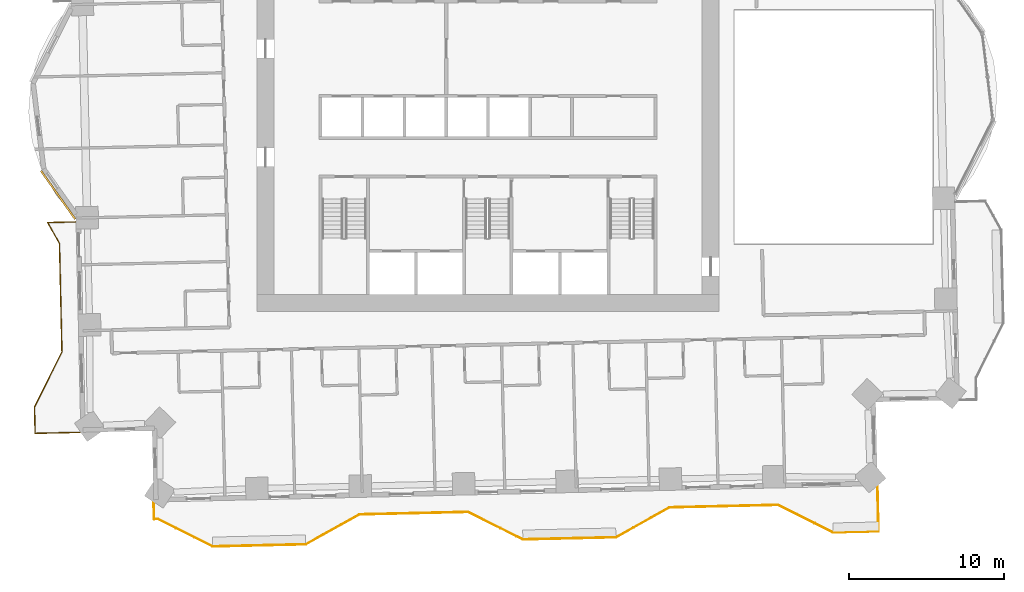
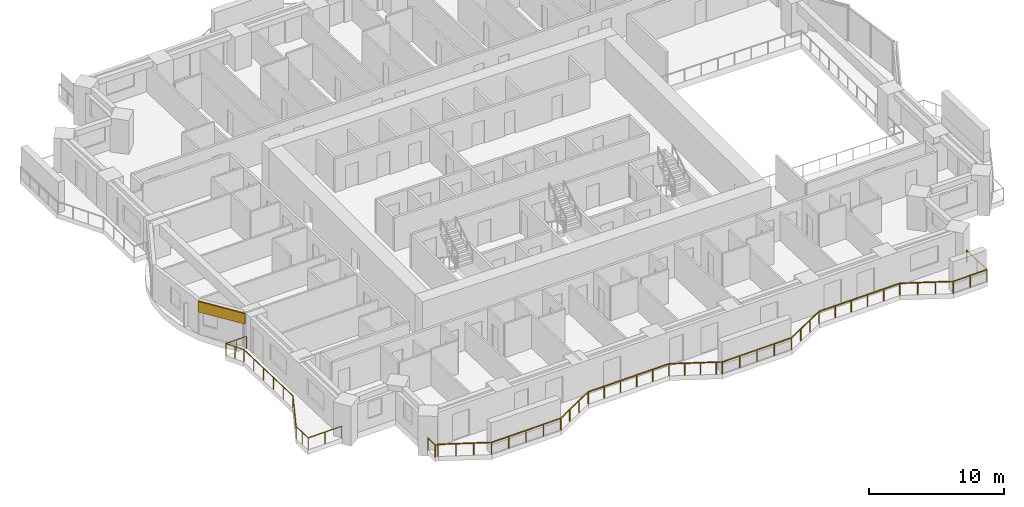
# One storey, part 14 of 17: 2 railings, 1 covering.
"""IFC4 building model written with IfcOpenShell, lengths in metres."""

from ifc_helpers import new_model, si_unit, direction, frame, frame_2d, origin, origin_2d, place, context, subcontext, project, spatial, rectangle, extrude, material, layer, layer_set, type_object, element, save


model = new_model("IFC4")

# Units and contexts
model_context = context("Model", 3, precision=1e-05, world=origin(), true_north=direction((0.0, 1.0)))
body_context = subcontext(model_context, "Body", "Model", "MODEL_VIEW")
ifc_project = project(units=[si_unit("LENGTHUNIT", "METRE"), si_unit("AREAUNIT", "SQUARE_METRE"), si_unit("VOLUMEUNIT", "CUBIC_METRE"), si_unit("PLANEANGLEUNIT", "RADIAN"), si_unit("MASSUNIT", "GRAM", prefix="KILO")], contexts=[model_context])

# Site, building, storey
site_placement = place(None, origin())
site = spatial("IfcSite", under=ifc_project, at=site_placement, CompositionType="ELEMENT")
building_placement = place(site_placement, origin())
building = spatial("IfcBuilding", under=site, at=building_placement, Name="Mangrove Gate Tower", CompositionType="ELEMENT")
storey_placement = place(building_placement, frame((0.0, 0.0, 79.300048828125)))
storey = spatial("IfcBuildingStorey", under=building, at=storey_placement, Name="L19", CompositionType="ELEMENT", Elevation=79.300048828125)

# Railings
ifc_material_1 = material(Name="Stainless steel grade 316 with laminated glass infill", Category="steel")
railing_type = type_object("IfcRailingType", Name="Balcony guard 1100", PredefinedType="GUARDRAIL", material=ifc_material_1)
railing_1_placement = place(storey_placement, frame((-26.60693359375, -6.116943359375, 0.0)))
element("IfcRailing", 1, at=railing_1_placement, inside=storey, type_object=railing_type, Name="GUARD L19 W2", PredefinedType="GUARDRAIL", context=body_context, shape_type="SweptSolid", body=[
    extrude(rectangle(XDim=0.048095703125, YDim=0.048095703125, at=origin_2d()), frame((0.0, 0.0, 1.076171875), z_axis=(-0.999736446094, -0.022957315875, 0.0), x_axis=(0.022957315875, -0.999736446094, 0.0)), (0.0, 0.0, 1.0), 1.78662109375),
    extrude(rectangle(XDim=0.048095703125, YDim=0.048095703125, at=origin_2d()), frame((-1.7861328125, -0.041015625, 1.076171875), z_axis=(0.486895569176, -0.873460190688, 0.0), x_axis=(0.873460190688, 0.486895569176, 0.0)), (0.0, 0.0, 1.0), 1.554931640625),
    extrude(rectangle(XDim=0.048095703125, YDim=0.048095703125, at=origin_2d()), frame((-1.029052734375, -1.399169921875, 1.076171875), z_axis=(0.022706351659, -0.999742177561, 0.0), x_axis=(0.999742177561, 0.022706351659, 0.0)), (0.0, 0.0, 1.0), 6.99951171875),
    extrude(rectangle(XDim=0.048095703125, YDim=0.048095703125, at=origin_2d()), frame((-0.8701171875, -8.39697265625, 1.076171875), z_axis=(-0.447114919141, -0.894476522376, 0.0), x_axis=(0.894476522376, -0.447114919141, 0.0)), (0.0, 0.0, 1.0), 3.958740234375),
    extrude(rectangle(XDim=0.048095703125, YDim=0.048095703125, at=origin_2d()), frame((-2.64013671875, -11.93798828125, 1.076171875), z_axis=(0.022985734573, -0.9997357931, 0.0), x_axis=(0.9997357931, 0.022985734573, 0.0)), (0.0, 0.0, 1.0), 1.699462890625),
    extrude(rectangle(XDim=0.048095703125, YDim=0.048095703125, at=origin_2d()), frame((-2.60107421875, -13.636962890625, 1.076171875), z_axis=(0.999750894749, 0.022319239446, 0.0), x_axis=(-0.022319239446, 0.999750894749, 0.0)), (0.0, 0.0, 1.0), 2.90966796875),
    extrude(rectangle(XDim=0.0419921875, YDim=0.0419921875, at=origin_2d()), origin(), (0.0, 0.0, 1.0), 1.052001953125),
    extrude(rectangle(XDim=0.0419921875, YDim=0.0419921875, at=origin_2d()), frame((-0.89306640625, -0.0205078125, 0.0)), (0.0, 0.0, 1.0), 1.052001953125),
    extrude(rectangle(XDim=0.0419921875, YDim=0.0419921875, at=origin_2d()), frame((-1.7861328125, -0.041015625, 0.0)), (0.0, 0.0, 1.0), 1.052001953125),
    extrude(rectangle(XDim=0.0419921875, YDim=0.0419921875, at=origin_2d()), frame((-1.40771484375, -0.72021484375, 0.0)), (0.0, 0.0, 1.0), 1.052001953125),
    extrude(rectangle(XDim=0.0419921875, YDim=0.0419921875, at=origin_2d()), frame((-1.029052734375, -1.399169921875, 0.0)), (0.0, 0.0, 1.0), 1.052001953125),
    extrude(rectangle(XDim=0.0419921875, YDim=0.0419921875, at=origin_2d()), frame((-0.997314453125, -2.798828125, 0.0)), (0.0, 0.0, 1.0), 1.052001953125),
    extrude(rectangle(XDim=0.0419921875, YDim=0.0419921875, at=origin_2d()), frame((-0.965576171875, -4.1982421875, 0.0)), (0.0, 0.0, 1.0), 1.052001953125),
    extrude(rectangle(XDim=0.0419921875, YDim=0.0419921875, at=origin_2d()), frame((-0.93359375, -5.597900390625, 0.0)), (0.0, 0.0, 1.0), 1.052001953125),
    extrude(rectangle(XDim=0.0419921875, YDim=0.0419921875, at=origin_2d()), frame((-0.90185546875, -6.997314453125, 0.0)), (0.0, 0.0, 1.0), 1.052001953125),
    extrude(rectangle(XDim=0.0419921875, YDim=0.0419921875, at=origin_2d()), frame((-0.8701171875, -8.39697265625, 0.0)), (0.0, 0.0, 1.0), 1.052001953125),
    extrude(rectangle(XDim=0.0419921875, YDim=0.0419921875, at=origin_2d()), frame((-1.460205078125, -9.577392578125, 0.0)), (0.0, 0.0, 1.0), 1.052001953125),
    extrude(rectangle(XDim=0.0419921875, YDim=0.0419921875, at=origin_2d()), frame((-2.050048828125, -10.757568359375, 0.0)), (0.0, 0.0, 1.0), 1.052001953125),
    extrude(rectangle(XDim=0.0419921875, YDim=0.0419921875, at=origin_2d()), frame((-2.64013671875, -11.93798828125, 0.0)), (0.0, 0.0, 1.0), 1.052001953125),
    extrude(rectangle(XDim=0.0419921875, YDim=0.0419921875, at=origin_2d()), frame((-2.62060546875, -12.78759765625, 0.0)), (0.0, 0.0, 1.0), 1.052001953125),
    extrude(rectangle(XDim=0.0419921875, YDim=0.0419921875, at=origin_2d()), frame((-2.60107421875, -13.636962890625, 0.0)), (0.0, 0.0, 1.0), 1.052001953125),
    extrude(rectangle(XDim=0.0419921875, YDim=0.0419921875, at=origin_2d()), frame((-1.146484375, -13.6044921875, 0.0)), (0.0, 0.0, 1.0), 1.052001953125),
    extrude(rectangle(XDim=0.0419921875, YDim=0.0419921875, at=origin_2d()), frame((0.307861328125, -13.572021484375, 0.0)), (0.0, 0.0, 1.0), 1.052001953125),
])
railing_2_placement = place(storey_placement, frame((-21.554931640625, -24.221923828125, 0.0)))
element("IfcRailing", 2, at=railing_2_placement, inside=storey, type_object=railing_type, Name="GUARD L19 S1", PredefinedType="GUARDRAIL", context=body_context, shape_type="SweptSolid", body=[
    extrude(rectangle(XDim=0.048095703125, YDim=0.048095703125, at=origin_2d()), frame((0.0, 0.0, 1.076171875), z_axis=(0.022564497502, -0.999745389313, 0.0), x_axis=(0.999745389313, 0.022564497502, 0.0)), (0.0, 0.0, 1.0), 1.060302734375),
    extrude(rectangle(XDim=0.048095703125, YDim=0.048095703125, at=origin_2d()), frame((0.02392578125, -1.06005859375, 1.076171875), z_axis=(0.999665974646, 0.025844518476, 0.0), x_axis=(-0.025844518476, 0.999665974646, 0.0)), (0.0, 0.0, 1.0), 0.236083984375),
    extrude(rectangle(XDim=0.048095703125, YDim=0.048095703125, at=origin_2d()), frame((0.260009765625, -1.053955078125, 1.076171875), z_axis=(0.894476522376, -0.447114919141, 0.0), x_axis=(0.447114919141, 0.894476522376, 0.0)), (0.0, 0.0, 1.0), 3.958740234375),
    extrude(rectangle(XDim=0.048095703125, YDim=0.048095703125, at=origin_2d()), frame((3.801025390625, -2.823974609375, 1.076171875), z_axis=(0.999743073592, 0.022666865795, 0.0), x_axis=(-0.022666865795, 0.999743073592, 0.0)), (0.0, 0.0, 1.0), 5.999267578125),
    extrude(rectangle(XDim=0.048095703125, YDim=0.048095703125, at=origin_2d()), frame((9.798828125, -2.68798828125, 1.076171875), z_axis=(0.873315448515, 0.487155136876, 0.0), x_axis=(-0.487155136876, 0.873315448515, 0.0)), (0.0, 0.0, 1.0), 3.959716796875),
    extrude(rectangle(XDim=0.048095703125, YDim=0.048095703125, at=origin_2d()), frame((13.2568359375, -0.759033203125, 1.076171875), z_axis=(0.999745352708, 0.022566119286, 0.0), x_axis=(-0.022566119286, 0.999745352708, 0.0)), (0.0, 0.0, 1.0), 6.999755859375),
    extrude(rectangle(XDim=0.048095703125, YDim=0.048095703125, at=origin_2d()), frame((20.2548828125, -0.60107421875, 1.076171875), z_axis=(0.894552511605, -0.446962866445, 0.0), x_axis=(0.446962866445, 0.894552511605, 0.0)), (0.0, 0.0, 1.0), 3.505615234375),
    extrude(rectangle(XDim=0.048095703125, YDim=0.048095703125, at=origin_2d()), frame((23.390869140625, -2.16796875, 1.076171875), z_axis=(0.89388773066, -0.448290893255, 0.0), x_axis=(0.448290893255, 0.89388773066, 0.0)), (0.0, 0.0, 1.0), 0.453125),
    extrude(rectangle(XDim=0.048095703125, YDim=0.048095703125, at=origin_2d()), frame((23.7958984375, -2.37109375, 1.076171875), z_axis=(0.999743094499, 0.022665943652, 0.0), x_axis=(-0.022665943652, 0.999743094499, 0.0)), (0.0, 0.0, 1.0), 5.99951171875),
    extrude(rectangle(XDim=0.048095703125, YDim=0.048095703125, at=origin_2d()), frame((29.7939453125, -2.235107421875, 1.076171875), z_axis=(0.87325689943, 0.48726008209, 0.0), x_axis=(-0.48726008209, 0.87325689943, 0.0)), (0.0, 0.0, 1.0), 3.958740234375),
    extrude(rectangle(XDim=0.048095703125, YDim=0.048095703125, at=origin_2d()), frame((33.2509765625, -0.30615234375, 1.076171875), z_axis=(0.999741475346, 0.022737248567, 0.0), x_axis=(-0.022737248567, 0.999741475346, 0.0)), (0.0, 0.0, 1.0), 7.000732421875),
    extrude(rectangle(XDim=0.048095703125, YDim=0.048095703125, at=origin_2d()), frame((40.25, -0.14697265625, 1.076171875), z_axis=(0.894476522376, -0.447114919141, 0.0), x_axis=(0.447114919141, 0.894476522376, 0.0)), (0.0, 0.0, 1.0), 3.958740234375),
    extrude(rectangle(XDim=0.048095703125, YDim=0.048095703125, at=origin_2d()), frame((43.791015625, -1.9169921875, 1.076171875), z_axis=(0.999740330614, 0.022787526045, 0.0), x_axis=(-0.022787526045, 0.999740330614, 0.0)), (0.0, 0.0, 1.0), 2.935546875),
    extrude(rectangle(XDim=0.048095703125, YDim=0.048095703125, at=origin_2d()), frame((46.725830078125, -1.85009765625, 1.076171875), z_axis=(-0.022654696127, 0.999743349437, 0.0), x_axis=(-0.999743349437, -0.022654696127, 0.0)), (0.0, 0.0, 1.0), 2.90966796875),
    extrude(rectangle(XDim=0.0419921875, YDim=0.0419921875, at=origin_2d()), origin(), (0.0, 0.0, 1.0), 1.052001953125),
    extrude(rectangle(XDim=0.0419921875, YDim=0.0419921875, at=origin_2d()), frame((0.02392578125, -1.06005859375, 0.0)), (0.0, 0.0, 1.0), 1.052001953125),
    extrude(rectangle(XDim=0.0419921875, YDim=0.0419921875, at=origin_2d()), frame((0.260009765625, -1.053955078125, 0.0)), (0.0, 0.0, 1.0), 1.052001953125),
    extrude(rectangle(XDim=0.0419921875, YDim=0.0419921875, at=origin_2d()), frame((1.4404296875, -1.64404296875, 0.0)), (0.0, 0.0, 1.0), 1.052001953125),
    extrude(rectangle(XDim=0.0419921875, YDim=0.0419921875, at=origin_2d()), frame((2.62060546875, -2.23388671875, 0.0)), (0.0, 0.0, 1.0), 1.052001953125),
    extrude(rectangle(XDim=0.0419921875, YDim=0.0419921875, at=origin_2d()), frame((3.801025390625, -2.823974609375, 0.0)), (0.0, 0.0, 1.0), 1.052001953125),
    extrude(rectangle(XDim=0.0419921875, YDim=0.0419921875, at=origin_2d()), frame((5.300537109375, -2.7900390625, 0.0)), (0.0, 0.0, 1.0), 1.052001953125),
    extrude(rectangle(XDim=0.0419921875, YDim=0.0419921875, at=origin_2d()), frame((6.7998046875, -2.755859375, 0.0)), (0.0, 0.0, 1.0), 1.052001953125),
    extrude(rectangle(XDim=0.0419921875, YDim=0.0419921875, at=origin_2d()), frame((8.29931640625, -2.721923828125, 0.0)), (0.0, 0.0, 1.0), 1.052001953125),
    extrude(rectangle(XDim=0.0419921875, YDim=0.0419921875, at=origin_2d()), frame((9.798828125, -2.68798828125, 0.0)), (0.0, 0.0, 1.0), 1.052001953125),
    extrude(rectangle(XDim=0.0419921875, YDim=0.0419921875, at=origin_2d()), frame((10.951416015625, -2.044921875, 0.0)), (0.0, 0.0, 1.0), 1.052001953125),
    extrude(rectangle(XDim=0.0419921875, YDim=0.0419921875, at=origin_2d()), frame((12.104248046875, -1.402099609375, 0.0)), (0.0, 0.0, 1.0), 1.052001953125),
    extrude(rectangle(XDim=0.0419921875, YDim=0.0419921875, at=origin_2d()), frame((13.2568359375, -0.759033203125, 0.0)), (0.0, 0.0, 1.0), 1.052001953125),
    extrude(rectangle(XDim=0.0419921875, YDim=0.0419921875, at=origin_2d()), frame((14.656494140625, -0.7275390625, 0.0)), (0.0, 0.0, 1.0), 1.052001953125),
    extrude(rectangle(XDim=0.0419921875, YDim=0.0419921875, at=origin_2d()), frame((16.05615234375, -0.69580078125, 0.0)), (0.0, 0.0, 1.0), 1.052001953125),
    extrude(rectangle(XDim=0.0419921875, YDim=0.0419921875, at=origin_2d()), frame((17.45556640625, -0.664306640625, 0.0)), (0.0, 0.0, 1.0), 1.052001953125),
    extrude(rectangle(XDim=0.0419921875, YDim=0.0419921875, at=origin_2d()), frame((18.855224609375, -0.632568359375, 0.0)), (0.0, 0.0, 1.0), 1.052001953125),
    extrude(rectangle(XDim=0.0419921875, YDim=0.0419921875, at=origin_2d()), frame((20.2548828125, -0.60107421875, 0.0)), (0.0, 0.0, 1.0), 1.052001953125),
    extrude(rectangle(XDim=0.0419921875, YDim=0.0419921875, at=origin_2d()), frame((21.30029296875, -1.123291015625, 0.0)), (0.0, 0.0, 1.0), 1.052001953125),
    extrude(rectangle(XDim=0.0419921875, YDim=0.0419921875, at=origin_2d()), frame((22.345458984375, -1.645751953125, 0.0)), (0.0, 0.0, 1.0), 1.052001953125),
    extrude(rectangle(XDim=0.0419921875, YDim=0.0419921875, at=origin_2d()), frame((23.390869140625, -2.16796875, 0.0)), (0.0, 0.0, 1.0), 1.052001953125),
    extrude(rectangle(XDim=0.0419921875, YDim=0.0419921875, at=origin_2d()), frame((23.7958984375, -2.37109375, 0.0)), (0.0, 0.0, 1.0), 1.052001953125),
    extrude(rectangle(XDim=0.0419921875, YDim=0.0419921875, at=origin_2d()), frame((25.29541015625, -2.337158203125, 0.0)), (0.0, 0.0, 1.0), 1.052001953125),
    extrude(rectangle(XDim=0.0419921875, YDim=0.0419921875, at=origin_2d()), frame((26.794921875, -2.30322265625, 0.0)), (0.0, 0.0, 1.0), 1.052001953125),
    extrude(rectangle(XDim=0.0419921875, YDim=0.0419921875, at=origin_2d()), frame((28.29443359375, -2.26904296875, 0.0)), (0.0, 0.0, 1.0), 1.052001953125),
    extrude(rectangle(XDim=0.0419921875, YDim=0.0419921875, at=origin_2d()), frame((29.7939453125, -2.235107421875, 0.0)), (0.0, 0.0, 1.0), 1.052001953125),
    extrude(rectangle(XDim=0.0419921875, YDim=0.0419921875, at=origin_2d()), frame((30.9462890625, -1.592041015625, 0.0)), (0.0, 0.0, 1.0), 1.052001953125),
    extrude(rectangle(XDim=0.0419921875, YDim=0.0419921875, at=origin_2d()), frame((32.0986328125, -0.94921875, 0.0)), (0.0, 0.0, 1.0), 1.052001953125),
    extrude(rectangle(XDim=0.0419921875, YDim=0.0419921875, at=origin_2d()), frame((33.2509765625, -0.30615234375, 0.0)), (0.0, 0.0, 1.0), 1.052001953125),
    extrude(rectangle(XDim=0.0419921875, YDim=0.0419921875, at=origin_2d()), frame((34.65087890625, -0.2744140625, 0.0)), (0.0, 0.0, 1.0), 1.052001953125),
    extrude(rectangle(XDim=0.0419921875, YDim=0.0419921875, at=origin_2d()), frame((36.050537109375, -0.242431640625, 0.0)), (0.0, 0.0, 1.0), 1.052001953125),
    extrude(rectangle(XDim=0.0419921875, YDim=0.0419921875, at=origin_2d()), frame((37.450439453125, -0.210693359375, 0.0)), (0.0, 0.0, 1.0), 1.052001953125),
    extrude(rectangle(XDim=0.0419921875, YDim=0.0419921875, at=origin_2d()), frame((38.85009765625, -0.1787109375, 0.0)), (0.0, 0.0, 1.0), 1.052001953125),
    extrude(rectangle(XDim=0.0419921875, YDim=0.0419921875, at=origin_2d()), frame((40.25, -0.14697265625, 0.0)), (0.0, 0.0, 1.0), 1.052001953125),
    extrude(rectangle(XDim=0.0419921875, YDim=0.0419921875, at=origin_2d()), frame((41.430419921875, -0.737060546875, 0.0)), (0.0, 0.0, 1.0), 1.052001953125),
    extrude(rectangle(XDim=0.0419921875, YDim=0.0419921875, at=origin_2d()), frame((42.610595703125, -1.326904296875, 0.0)), (0.0, 0.0, 1.0), 1.052001953125),
    extrude(rectangle(XDim=0.0419921875, YDim=0.0419921875, at=origin_2d()), frame((43.791015625, -1.9169921875, 0.0)), (0.0, 0.0, 1.0), 1.052001953125),
    extrude(rectangle(XDim=0.0419921875, YDim=0.0419921875, at=origin_2d()), frame((45.25830078125, -1.883544921875, 0.0)), (0.0, 0.0, 1.0), 1.052001953125),
    extrude(rectangle(XDim=0.0419921875, YDim=0.0419921875, at=origin_2d()), frame((46.725830078125, -1.85009765625, 0.0)), (0.0, 0.0, 1.0), 1.052001953125),
    extrude(rectangle(XDim=0.0419921875, YDim=0.0419921875, at=origin_2d()), frame((46.69287109375, -0.3955078125, 0.0)), (0.0, 0.0, 1.0), 1.052001953125),
    extrude(rectangle(XDim=0.0419921875, YDim=0.0419921875, at=origin_2d()), frame((46.659912109375, 1.058837890625, 0.0)), (0.0, 0.0, 1.0), 1.052001953125),
])

# Covering
ifc_material_2 = material(Name="Limestone", Category="masonry")
ifc_layer_1 = layer(ifc_material_2, 0.0400390625, Name="Limestone cladding")
ifc_material_3 = material(Name="Stainless steel anchors and cavity", Category="steel")
ifc_layer_2 = layer(ifc_material_3, 0.080078125, Name="Fixing cavity")
ifc_layer_set = layer_set([ifc_layer_1, ifc_layer_2], Name="Joint fascia cladding 120")
covering_type = type_object("IfcCoveringType", Name="Joint fascia cladding 120", PredefinedType="CLADDING", material=ifc_layer_set)
covering_placement = place(storey_placement, frame((-28.822998046875, -2.8310546875, 2.099853515625), z_axis=(0.0, 0.0, 1.0), x_axis=(0.578168098379, -0.815917673553, 0.0)))
element("IfcCovering", 3, at=covering_placement, inside=storey, type_object=covering_type, Name="STONE FASCIA L19 W9.L2", PredefinedType="CLADDING", context=body_context, shape_type="SweptSolid", body=[
    extrude(rectangle(XDim=3.819091796875, YDim=0.1201171875, at=frame_2d((1.90966796875, 0.0))), origin(), (0.0, 0.0, 1.0), 0.9501953125),
])

save(model, "model.ifc")
